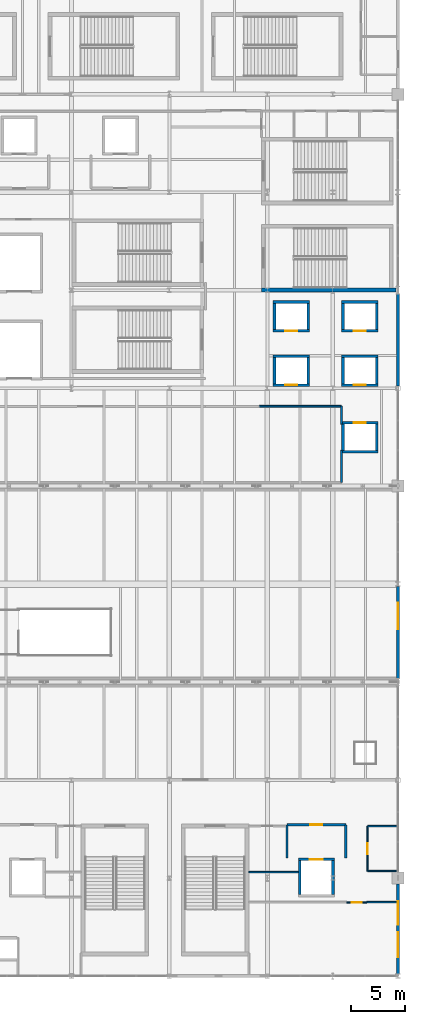
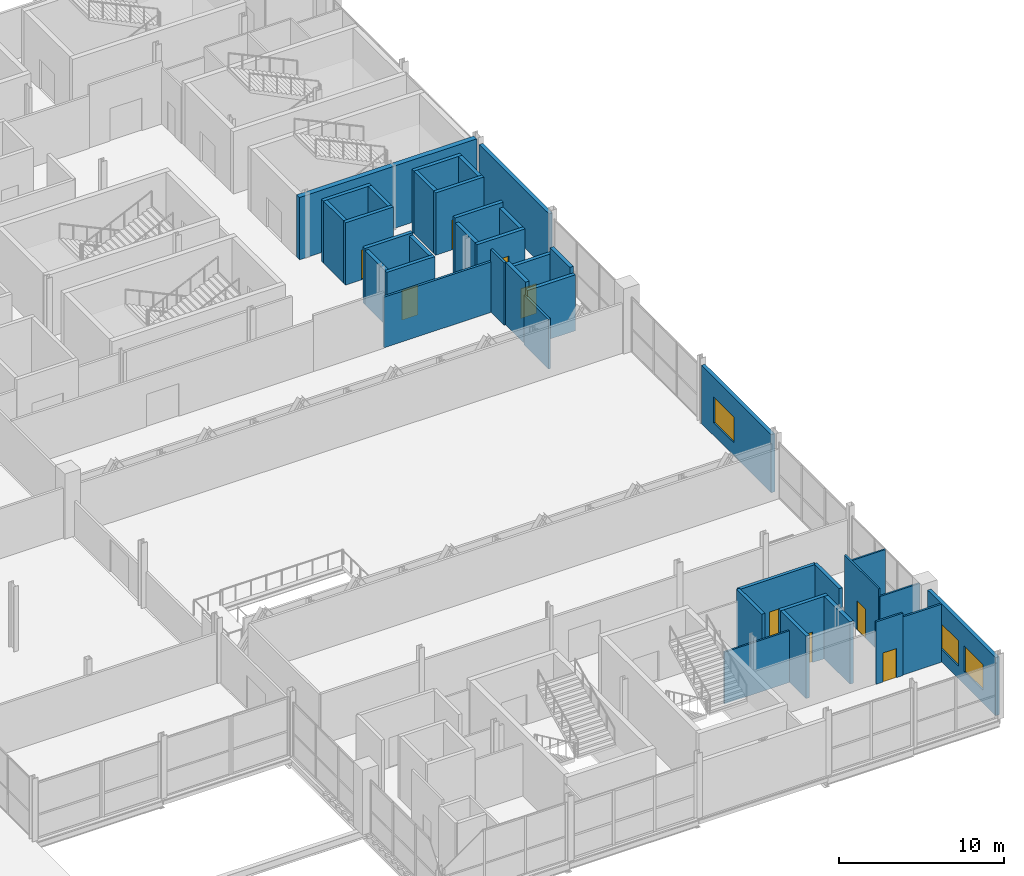
# One storey, part 198 of 224: 39 walls, 9 doors, 3 windows, 12 openings.
"""IFC4 building model written with IfcOpenShell, lengths in metres."""

from ifc_helpers import new_model, si_unit, direction, frame, frame_2d, origin, place, context, subcontext, project, spatial, rectangle, extrude, material, layer, layer_set, type_object, element, fill, save


model = new_model("IFC4")

# Units and contexts
model_context = context("Model", 3, precision=1e-05, world=origin(), true_north=direction((0.0, 1.0)))
body_context = subcontext(model_context, "Body", "Model", "MODEL_VIEW")
ifc_project = project(units=[si_unit("LENGTHUNIT", "METRE"), si_unit("AREAUNIT", "SQUARE_METRE"), si_unit("VOLUMEUNIT", "CUBIC_METRE"), si_unit("PLANEANGLEUNIT", "RADIAN"), si_unit("MASSUNIT", "GRAM", prefix="KILO")], contexts=[model_context])

# Site, building, storey
site_placement = place(None, origin())
site = spatial("IfcSite", under=ifc_project, at=site_placement, CompositionType="ELEMENT")
building_placement = place(site_placement, origin())
building = spatial("IfcBuilding", under=site, at=building_placement, Name="Qamarlyn Nura Convention Centre", CompositionType="ELEMENT")
storey_placement = place(building_placement, frame((0.0, 0.0, 10.800048828125)))
storey = spatial("IfcBuildingStorey", under=building, at=storey_placement, Name="L02", CompositionType="ELEMENT", Elevation=10.800048828125)

# Wall, opening, door
ifc_material_1 = material(Name="Fire-rated acoustic gypsum board and mineral wool EI 120")
ifc_layer_1 = layer(ifc_material_1, 0.219970703125, Name="WT-COMP-220")
ifc_layer_set_1 = layer_set([ifc_layer_1], Name="Fire-rated acoustic gypsum board and mineral wool EI 120")
wall_type_1 = type_object("IfcWallType", Name="WT-COMP-220", PredefinedType="SOLIDWALL", material=ifc_layer_set_1)
wall_1_placement = place(storey_placement, frame((181.800048828125, 13.89990234375, 0.0), z_axis=(0.0, 0.0, 1.0), x_axis=(1.0, 0.0, 0.0)))
wall_1 = element("IfcWall", 1, at=wall_1_placement, inside=storey, type_object=wall_type_1, Name="L02 firefighting lobby barrier wall FFL-02-OPP", PredefinedType="SOLIDWALL", context=body_context, shape_type="SweptSolid", body=[
    extrude(rectangle(XDim=5.39990234375, YDim=0.219970703125, at=frame_2d((2.699951171875, 0.0))), origin(), (0.0, 0.0, 1.0), 4.599853515625),
])
opening_1_placement = place(wall_1_placement, frame((2.139892578125, 0.0, 0.0)))
opening_1 = element("IfcOpeningElement", 2, at=opening_1_placement, cuts=wall_1, Name="Opening DF-113", PredefinedType="OPENING", context=body_context, shape_type="SweptSolid", body=[
    extrude(rectangle(XDim=1.1201171875, YDim=2.199951171875, at=frame_2d((0.56005859375, 1.10009765625))), frame((0.0, 0.1201171875, 0.0), z_axis=(0.0, -1.0, 0.0), x_axis=(1.0, 0.0, 0.0)), (0.0, 0.0, 1.0), 0.239990234375),
])
ifc_material_2 = material(Name="Galvanised fire-rated hollow steel door", Category="steel")
door_type_1 = type_object("IfcDoorType", Name="DR-FFL-1120", OperationType="NOTDEFINED", PredefinedType="DOOR", material=ifc_material_2)
door_1_placement = place(opening_1_placement, origin())
door_1 = element("IfcDoor", 3, at=door_1_placement, inside=storey, type_object=door_type_1, Name="L02 firefighting lobby door FFL-02 (DF-113)", OperationType="SINGLE_SWING_LEFT", OverallHeight=2.199951171875, OverallWidth=1.1201171875, PredefinedType="DOOR", context=body_context, shape_type="SweptSolid", body=[
    extrude(rectangle(XDim=1.1201171875, YDim=2.199951171875, at=frame_2d((0.56005859375, 1.10009765625))), frame((0.0, 0.02490234375, 0.0), z_axis=(0.0, -1.0, 0.0), x_axis=(1.0, 0.0, 0.0)), (0.0, 0.0, 1.0), 0.050048828125),
])
fill(opening_1, door_1)

# Walls
for number, where, z_axis, x_axis, name in (
    (4, (181.800048828125, 10.85009765625, 0.0), (0.0, 0.0, 1.0), (0.0, 1.0, 0.0), "L02 firefighting lobby barrier wall FFL-02-W"),
    (5, (187.199951171875, 10.85009765625, 0.0), (0.0, 0.0, 1.0), (0.0, 1.0, 0.0), "L02 firefighting lobby barrier wall FFL-02-E"),
):
    element("IfcWall", number, at=place(storey_placement, frame(where, z_axis=z_axis, x_axis=x_axis)), inside=storey, type_object=wall_type_1, Name=name, PredefinedType="SOLIDWALL", context=body_context, shape_type="SweptSolid", body=[
        extrude(rectangle(XDim=3.0498046875, YDim=0.219970703125, at=frame_2d((1.52490234375, 0.0))), origin(), (0.0, 0.0, 1.0), 4.599853515625),
    ])
ifc_material_3 = material(Name="Concrete C50/60", Category="concrete")
ifc_layer_2 = layer(ifc_material_3, 0.35009765625, Name="WT-CORE-350")
ifc_layer_set_2 = layer_set([ifc_layer_2], Name="Concrete C50/60")
wall_type_2 = type_object("IfcWallType", Name="WT-CORE-350", PredefinedType="SHEAR", material=ifc_layer_set_2)
wall_2_placement = place(storey_placement, frame((179.449951171875, 63.02490234375, 0.0), z_axis=(0.0, 0.0, 1.0), x_axis=(1.0, 0.0, 0.0)))
element("IfcWall", 6, at=wall_2_placement, inside=storey, type_object=wall_type_2, Name="L02 stair core shear wall ST-13-S", PredefinedType="SHEAR", context=body_context, shape_type="SweptSolid", body=[
    extrude(rectangle(XDim=12.37255859375, YDim=0.35009765625, at=frame_2d((6.186279296875, 0.0))), origin(), (0.0, 0.0, 1.0), 4.599853515625),
])

# Wall, openings, windows
ifc_material_4 = material(Name="Concrete C40/50", Category="concrete")
ifc_layer_3 = layer(ifc_material_4, 0.260009765625, Name="WT-EXT-260")
ifc_layer_set_3 = layer_set([ifc_layer_3], Name="Concrete C40/50")
wall_type_3 = type_object("IfcWallType", Name="WT-EXT-260", PredefinedType="SOLIDWALL", material=ifc_layer_set_3)
wall_3_placement = place(storey_placement, frame((192.0, 8.449951171875, 0.0), z_axis=(0.0, 0.0, 1.0), x_axis=(0.0, -1.0, 0.0)))
wall_3 = element("IfcWall", 7, at=wall_3_placement, inside=storey, type_object=wall_type_3, Name="L02 exterior facade wall WEXT-L02-1920-84-1920-2", PredefinedType="SOLIDWALL", context=body_context, shape_type="SweptSolid", body=[
    extrude(rectangle(XDim=8.237548828125, YDim=0.260009765625, at=frame_2d((4.11865234375, 0.0))), origin(), (0.0, 0.0, 1.0), 4.284912109375),
])
opening_2_placement = place(wall_3_placement, frame((1.58447265625, 0.0, 0.949951171875)))
opening_2 = element("IfcOpeningElement", 8, at=opening_2_placement, cuts=wall_3, Name="Opening WN06", PredefinedType="OPENING", context=body_context, shape_type="SweptSolid", body=[
    extrude(rectangle(XDim=2.14990234375, YDim=1.85009765625, at=frame_2d((1.074951171875, 0.925048828125))), frame((0.0, 0.14013671875, 0.0), z_axis=(0.0, -1.0, 0.0), x_axis=(1.0, 0.0, 0.0)), (0.0, 0.0, 1.0), 0.280029296875),
])
opening_3_placement = place(wall_3_placement, frame((4.427978515625, 0.0, 0.949951171875)))
opening_3 = element("IfcOpeningElement", 9, at=opening_3_placement, cuts=wall_3, Name="Opening WN07", PredefinedType="OPENING", context=body_context, shape_type="SweptSolid", body=[
    extrude(rectangle(XDim=2.300048828125, YDim=1.89990234375, at=frame_2d((1.14990234375, 0.949951171875))), frame((0.0, 0.14013671875, 0.0), z_axis=(0.0, -1.0, 0.0), x_axis=(1.0, 0.0, 0.0)), (0.0, 0.0, 1.0), 0.280029296875),
])
ifc_material_5 = material(Name="Double-silver low-E insulated glass", Category="glass")
window_type_1 = type_object("IfcWindowType", Name="WIN-SOL-06", PartitioningType="SINGLE_PANEL", PredefinedType="WINDOW", material=ifc_material_5)
window_1_placement = place(opening_2_placement, origin())
window_1 = element("IfcWindow", 10, at=window_1_placement, inside=storey, type_object=window_type_1, Name="L02 solar-control window 030", OverallHeight=1.85009765625, OverallWidth=2.14990234375, PartitioningType="SINGLE_PANEL", PredefinedType="WINDOW", context=body_context, shape_type="SweptSolid", body=[
    extrude(rectangle(XDim=2.14990234375, YDim=1.85009765625, at=frame_2d((1.074951171875, 0.925048828125))), frame((0.0, 0.030029296875, 0.0), z_axis=(0.0, -1.0, 0.0), x_axis=(1.0, 0.0, 0.0)), (0.0, 0.0, 1.0), 0.06005859375),
])
fill(opening_2, window_1)
window_type_2 = type_object("IfcWindowType", Name="WIN-SOL-07", PartitioningType="SINGLE_PANEL", PredefinedType="WINDOW", material=ifc_material_5)
window_2_placement = place(opening_3_placement, origin())
window_2 = element("IfcWindow", 11, at=window_2_placement, inside=storey, type_object=window_type_2, Name="L02 solar-control window 031", OverallHeight=1.89990234375, OverallWidth=2.300048828125, PartitioningType="SINGLE_PANEL", PredefinedType="WINDOW", context=body_context, shape_type="SweptSolid", body=[
    extrude(rectangle(XDim=2.300048828125, YDim=1.89990234375, at=frame_2d((1.14990234375, 0.949951171875))), frame((0.0, 0.030029296875, 0.0), z_axis=(0.0, -1.0, 0.0), x_axis=(1.0, 0.0, 0.0)), (0.0, 0.0, 1.0), 0.06005859375),
])
fill(opening_3, window_2)

# Wall, opening, window
wall_4_placement = place(storey_placement, frame((192.0, 35.78759765625, 0.0), z_axis=(0.0, 0.0, 1.0), x_axis=(0.0, -1.0, 0.0)))
wall_4 = element("IfcWall", 12, at=wall_4_placement, inside=storey, type_object=wall_type_3, Name="L02 exterior facade wall WEXT-L02-1920-358-1920-273", PredefinedType="SOLIDWALL", context=body_context, shape_type="SweptSolid", body=[
    extrude(rectangle(XDim=8.440185546875, YDim=0.260009765625, at=frame_2d((4.22021484375, 0.0))), origin(), (0.0, 0.0, 1.0), 4.284912109375),
])
opening_4_placement = place(wall_4_placement, frame((1.485107421875, 0.0, 0.949951171875)))
opening_4 = element("IfcOpeningElement", 13, at=opening_4_placement, cuts=wall_4, Name="Opening WN08", PredefinedType="OPENING", context=body_context, shape_type="SweptSolid", body=[
    extrude(rectangle(XDim=2.449951171875, YDim=1.89990234375, at=frame_2d((1.22509765625, 0.949951171875))), frame((0.0, 0.14013671875, 0.0), z_axis=(0.0, -1.0, 0.0), x_axis=(1.0, 0.0, 0.0)), (0.0, 0.0, 1.0), 0.280029296875),
])
window_type_3 = type_object("IfcWindowType", Name="WIN-SOL-08", PartitioningType="SINGLE_PANEL", PredefinedType="WINDOW", material=ifc_material_5)
window_3_placement = place(opening_4_placement, origin())
window_3 = element("IfcWindow", 14, at=window_3_placement, inside=storey, type_object=window_type_3, Name="L02 solar-control window 032", OverallHeight=1.89990234375, OverallWidth=2.449951171875, PartitioningType="SINGLE_PANEL", PredefinedType="WINDOW", context=body_context, shape_type="SweptSolid", body=[
    extrude(rectangle(XDim=2.449951171875, YDim=1.89990234375, at=frame_2d((1.22509765625, 0.949951171875))), frame((0.0, 0.030029296875, 0.0), z_axis=(0.0, -1.0, 0.0), x_axis=(1.0, 0.0, 0.0)), (0.0, 0.0, 1.0), 0.06005859375),
])
fill(opening_4, window_3)

# Walls
wall_5_placement = place(storey_placement, frame((192.0, 62.652587890625, 0.0), z_axis=(0.0, 0.0, 1.0), x_axis=(0.0, -1.0, 0.0)))
element("IfcWall", 15, at=wall_5_placement, inside=storey, type_object=wall_type_3, Name="L02 exterior facade wall WEXT-L02-1920-627-1920-542", PredefinedType="SOLIDWALL", context=body_context, shape_type="SweptSolid", body=[
    extrude(rectangle(XDim=8.45263671875, YDim=0.260009765625, at=frame_2d((4.226318359375, 0.0))), origin(), (0.0, 0.0, 1.0), 4.284912109375),
])
ifc_material_6 = material(Name="Acoustic double-stud gypsum partition")
ifc_layer_4 = layer(ifc_material_6, 0.1201171875, Name="WT-PART-120")
ifc_layer_set_4 = layer_set([ifc_layer_4], Name="Acoustic double-stud gypsum partition")
wall_type_4 = type_object("IfcWallType", Name="WT-PART-120", PredefinedType="PARTITIONING", material=ifc_layer_set_4)
wall_6_placement = place(storey_placement, frame((182.85009765625, 9.550048828125, 0.0), z_axis=(0.0, 0.0, 1.0), x_axis=(-1.0, 0.0, 0.0)))
element("IfcWall", 16, at=wall_6_placement, inside=storey, type_object=wall_type_4, Name="L02 interior partition L02-WC-F-L02-20-1", PredefinedType="PARTITIONING", context=body_context, shape_type="SweptSolid", body=[
    extrude(rectangle(XDim=4.550048828125, YDim=0.1201171875, at=frame_2d((2.27490234375, 0.0))), origin(), (0.0, 0.0, 1.0), 3.81201171875),
])
for number, where, z_axis, x_axis, name in (
    (17, (189.199951171875, 13.77490234375, 0.0), (0.0, 0.0, 1.0), (1.0, 0.0, 0.0), "L02 interior partition L02-WC-A-L02-1-1"),
    (18, (191.988037109375, 9.64990234375, 0.0), (0.0, 0.0, 1.0), (-1.0, 0.0, 0.0), "L02 interior partition L02-WC-A-L02-3-1"),
):
    element("IfcWall", number, at=place(storey_placement, frame(where, z_axis=z_axis, x_axis=x_axis)), inside=storey, type_object=wall_type_4, Name=name, PredefinedType="PARTITIONING", context=body_context, shape_type="SweptSolid", body=[
        extrude(rectangle(XDim=2.7880859375, YDim=0.1201171875, at=frame_2d((1.39404296875, 0.0))), origin(), (0.0, 0.0, 1.0), 4.0458984375),
    ])

# Wall, opening, door
wall_7_placement = place(storey_placement, frame((189.199951171875, 9.64990234375, 0.0), z_axis=(0.0, 0.0, 1.0), x_axis=(0.0, 1.0, 0.0)))
wall_7 = element("IfcWall", 19, at=wall_7_placement, inside=storey, type_object=wall_type_4, Name="L02 interior partition L02-WC-A-L02-4-1", PredefinedType="PARTITIONING", context=body_context, shape_type="SweptSolid", body=[
    extrude(rectangle(XDim=4.125, YDim=0.1201171875, at=frame_2d((2.0625, 0.0))), origin(), (0.0, 0.0, 1.0), 4.599853515625),
])
opening_5_placement = place(wall_7_placement, frame((1.552490234375, 0.0, 0.0)))
opening_5 = element("IfcOpeningElement", 20, at=opening_5_placement, cuts=wall_7, Name="Opening D-L02-179", PredefinedType="OPENING", context=body_context, shape_type="SweptSolid", body=[
    extrude(rectangle(XDim=1.02001953125, YDim=2.159912109375, at=frame_2d((0.510009765625, 1.080078125))), frame((0.0, 0.070068359375, 0.0), z_axis=(0.0, -1.0, 0.0), x_axis=(1.0, 0.0, 0.0)), (0.0, 0.0, 1.0), 0.14013671875),
])
ifc_material_7 = material(Name="Acoustic walnut timber leaf", Category="wood")
door_type_2 = type_object("IfcDoorType", Name="DR-WC-ACC-102", OperationType="NOTDEFINED", PredefinedType="DOOR", material=ifc_material_7)
door_2_placement = place(opening_5_placement, origin())
door_2 = element("IfcDoor", 21, at=door_2_placement, inside=storey, type_object=door_type_2, Name="L02 Accessible WC L02 door D-L02-179", OperationType="SINGLE_SWING_RIGHT", OverallHeight=2.159912109375, OverallWidth=1.02001953125, PredefinedType="DOOR", context=body_context, shape_type="SweptSolid", body=[
    extrude(rectangle(XDim=1.02001953125, YDim=2.159912109375, at=frame_2d((0.510009765625, 1.080078125))), frame((0.0, 0.02490234375, 0.0), z_axis=(0.0, -1.0, 0.0), x_axis=(1.0, 0.0, 0.0)), (0.0, 0.0, 1.0), 0.050048828125),
])
fill(opening_5, door_2)

ifc_layer_5 = layer(ifc_material_6, 0.135009765625, Name="WT-PART-135")
ifc_layer_set_5 = layer_set([ifc_layer_5], Name="Acoustic double-stud gypsum partition")
wall_type_5 = type_object("IfcWallType", Name="WT-PART-135", PredefinedType="PARTITIONING", material=ifc_layer_set_5)
wall_8_placement = place(storey_placement, frame((187.27001953125, 6.760009765625, 0.0), z_axis=(0.0, 0.0, 1.0), x_axis=(1.0, 0.0, 0.0)))
wall_8 = element("IfcWall", 22, at=wall_8_placement, inside=storey, type_object=wall_type_5, Name="L02 interior partition L02-MED-BRF1-22-1", PredefinedType="PARTITIONING", context=body_context, shape_type="SweptSolid", body=[
    extrude(rectangle(XDim=1.8798828125, YDim=0.135009765625, at=frame_2d((0.93994140625, 0.0))), origin(), (0.0, 0.0, 1.0), 4.599853515625),
])
opening_6_placement = place(wall_8_placement, frame((0.469970703125, 0.0, 0.0)))
opening_6 = element("IfcOpeningElement", 23, at=opening_6_placement, cuts=wall_8, Name="Opening D-L02-181", PredefinedType="OPENING", context=body_context, shape_type="SweptSolid", body=[
    extrude(rectangle(XDim=0.93994140625, YDim=2.14990234375, at=frame_2d((0.469970703125, 1.074951171875))), frame((0.0, 0.07763671875, 0.0), z_axis=(0.0, -1.0, 0.0), x_axis=(1.0, 0.0, 0.0)), (0.0, 0.0, 1.0), 0.155029296875),
])
door_type_3 = type_object("IfcDoorType", Name="DR-ROOM-0940", OperationType="NOTDEFINED", PredefinedType="DOOR", material=ifc_material_7)
door_3_placement = place(opening_6_placement, origin())
door_3 = element("IfcDoor", 24, at=door_3_placement, inside=storey, type_object=door_type_3, Name="L02 Media Briefing Suite 203 door D-L02-181", OperationType="SINGLE_SWING_RIGHT", OverallHeight=2.14990234375, OverallWidth=0.93994140625, PredefinedType="DOOR", context=body_context, shape_type="SweptSolid", body=[
    extrude(rectangle(XDim=0.93994140625, YDim=2.14990234375, at=frame_2d((0.469970703125, 1.074951171875))), frame((0.0, 0.02490234375, 0.0), z_axis=(0.0, -1.0, 0.0), x_axis=(1.0, 0.0, 0.0)), (0.0, 0.0, 1.0), 0.050048828125),
])
fill(opening_6, door_3)

# Walls
wall_9_placement = place(storey_placement, frame((189.14990234375, 6.800048828125, 0.0), z_axis=(0.0, 0.0, 1.0), x_axis=(1.0, 0.0, 0.0)))
element("IfcWall", 25, at=wall_9_placement, inside=storey, type_object=wall_type_5, Name="L02 interior partition L02-MED-BRF1-39-1", PredefinedType="PARTITIONING", context=body_context, shape_type="SweptSolid", body=[
    extrude(rectangle(XDim=2.72021484375, YDim=0.135009765625, at=frame_2d((1.360107421875, 0.0))), origin(), (0.0, 0.0, 1.0), 4.284912109375),
])
ifc_material_8 = material(Name="Fire-rated acoustic gypsum board EI 60")
ifc_layer_6 = layer(ifc_material_8, 0.159912109375, Name="WT-PART-160")
ifc_layer_set_6 = layer_set([ifc_layer_6], Name="Fire-rated acoustic gypsum board EI 60")
wall_type_6 = type_object("IfcWallType", Name="WT-PART-160", PredefinedType="PARTITIONING", material=ifc_layer_set_6)
wall_10_placement = place(storey_placement, frame((186.800048828125, 52.35009765625, 0.0), z_axis=(0.0, 0.0, 1.0), x_axis=(0.0, -1.0, 0.0)))
element("IfcWall", 26, at=wall_10_placement, inside=storey, type_object=wall_type_6, Name="L02 interior partition L02-BLR-EAST-1-1", PredefinedType="PARTITIONING", context=body_context, shape_type="SweptSolid", body=[
    extrude(rectangle(XDim=1.650146484375, YDim=0.159912109375, at=frame_2d((0.8251953125, 0.0))), origin(), (0.0, 0.0, 1.0), 4.599853515625),
])
wall_11_placement = place(storey_placement, frame((186.800048828125, 48.300048828125, 0.0), z_axis=(0.0, 0.0, 1.0), x_axis=(0.0, -1.0, 0.0)))
element("IfcWall", 27, at=wall_11_placement, inside=storey, type_object=wall_type_6, Name="L02 interior partition L02-BLR-EAST-1-2", PredefinedType="PARTITIONING", context=body_context, shape_type="SweptSolid", body=[
    extrude(rectangle(XDim=2.949951171875, YDim=0.159912109375, at=frame_2d((1.47509765625, 0.0))), origin(), (0.0, 0.0, 1.0), 3.6728515625),
])
wall_12_placement = place(storey_placement, frame((179.25, 52.35009765625, 0.0), z_axis=(0.0, 0.0, 1.0), x_axis=(1.0, 0.0, 0.0)))
element("IfcWall", 28, at=wall_12_placement, inside=storey, type_object=wall_type_6, Name="L02 interior partition L02-BLR-EAST-34-1", PredefinedType="PARTITIONING", context=body_context, shape_type="SweptSolid", body=[
    extrude(rectangle(XDim=7.550048828125, YDim=0.159912109375, at=frame_2d((3.77490234375, 0.0))), origin(), (0.0, 0.0, 1.0), 3.72998046875),
])

# Wall, opening, door
ifc_layer_7 = layer(ifc_material_1, 0.25, Name="WT-SHAFT-250")
ifc_layer_set_7 = layer_set([ifc_layer_7], Name="Fire-rated acoustic gypsum board and mineral wool EI 120")
wall_type_7 = type_object("IfcWallType", Name="WT-SHAFT-250", PredefinedType="SOLIDWALL", material=ifc_layer_set_7)
wall_13_placement = place(storey_placement, frame((186.14990234375, 10.72509765625, 0.0), z_axis=(0.0, 0.0, 1.0), x_axis=(-1.0, 0.0, 0.0)))
wall_13 = element("IfcWall", 29, at=wall_13_placement, inside=storey, type_object=wall_type_7, Name="L02 lift shaft enclosure wall FFL-02 +y", PredefinedType="SOLIDWALL", context=body_context, shape_type="SweptSolid", body=[
    extrude(rectangle(XDim=3.2998046875, YDim=0.25, at=frame_2d((1.64990234375, 0.0))), origin(), (0.0, 0.0, 1.0), 4.599853515625),
])
opening_7_placement = place(wall_13_placement, frame((1.050048828125, 0.0, 0.0)))
opening_7 = element("IfcOpeningElement", 30, at=opening_7_placement, cuts=wall_13, Name="Opening LD-FFL-02-L02", PredefinedType="OPENING", context=body_context, shape_type="SweptSolid", body=[
    extrude(rectangle(XDim=1.199951171875, YDim=2.25, at=frame_2d((0.60009765625, 1.125))), frame((0.0, 0.135009765625, 0.0), z_axis=(0.0, -1.0, 0.0), x_axis=(1.0, 0.0, 0.0)), (0.0, 0.0, 1.0), 0.27001953125),
])
ifc_material_9 = material(Name="Marine Grade 316 stainless steel", Category="steel")
door_type_4 = type_object("IfcDoorType", Name="DR-LD-FFL", OperationType="DOUBLE_DOOR_SLIDING", PredefinedType="DOOR", material=ifc_material_9)
door_4_placement = place(opening_7_placement, origin())
door_4 = element("IfcDoor", 31, at=door_4_placement, inside=storey, type_object=door_type_4, Name="Lift landing door LD-FFL-02-L02", OperationType="DOUBLE_DOOR_SLIDING", OverallHeight=2.25, OverallWidth=1.199951171875, PredefinedType="DOOR", context=body_context, shape_type="SweptSolid", body=[
    extrude(rectangle(XDim=1.199951171875, YDim=2.25, at=frame_2d((0.60009765625, 1.125))), frame((0.0, 0.02490234375, 0.0), z_axis=(0.0, -1.0, 0.0), x_axis=(1.0, 0.0, 0.0)), (0.0, 0.0, 1.0), 0.050048828125),
])
fill(opening_7, door_4)

# Walls
for number, where, z_axis, x_axis, name in (
    (32, (182.97509765625, 10.60009765625, 0.0), (0.0, 0.0, 1.0), (0.0, -1.0, 0.0), "L02 lift shaft enclosure wall FFL-02 -x"),
    (33, (186.02490234375, 7.5, 0.0), (0.0, 0.0, 1.0), (0.0, 1.0, 0.0), "L02 lift shaft enclosure wall FFL-02 +x"),
):
    element("IfcWall", number, at=place(storey_placement, frame(where, z_axis=z_axis, x_axis=x_axis)), inside=storey, type_object=wall_type_7, Name=name, PredefinedType="SOLIDWALL", context=body_context, shape_type="SweptSolid", body=[
        extrude(rectangle(XDim=3.10009765625, YDim=0.25, at=frame_2d((1.550048828125, 0.0))), origin(), (0.0, 0.0, 1.0), 4.599853515625),
    ])

# Wall, opening, door
wall_14_placement = place(storey_placement, frame((180.52490234375, 59.27490234375, 0.0), z_axis=(0.0, 0.0, 1.0), x_axis=(1.0, 0.0, 0.0)))
wall_14 = element("IfcWall", 34, at=wall_14_placement, inside=storey, type_object=wall_type_7, Name="L02 lift shaft enclosure wall PL-01 -y", PredefinedType="SOLIDWALL", context=body_context, shape_type="SweptSolid", body=[
    extrude(rectangle(XDim=3.35009765625, YDim=0.25, at=frame_2d((1.675048828125, 0.0))), origin(), (0.0, 0.0, 1.0), 4.599853515625),
])
opening_8_placement = place(wall_14_placement, frame((1.125, 0.0, 0.0)))
opening_8 = element("IfcOpeningElement", 35, at=opening_8_placement, cuts=wall_14, Name="Opening LD-PL-01-L02", PredefinedType="OPENING", context=body_context, shape_type="SweptSolid", body=[
    extrude(rectangle(XDim=1.10009765625, YDim=2.199951171875, at=frame_2d((0.550048828125, 1.10009765625))), frame((0.0, 0.135009765625, 0.0), z_axis=(0.0, -1.0, 0.0), x_axis=(1.0, 0.0, 0.0)), (0.0, 0.0, 1.0), 0.27001953125),
])
door_type_5 = type_object("IfcDoorType", Name="DR-LD-PAX", OperationType="DOUBLE_DOOR_SLIDING", PredefinedType="DOOR", material=ifc_material_9)
door_5_placement = place(opening_8_placement, origin())
door_5 = element("IfcDoor", 36, at=door_5_placement, inside=storey, type_object=door_type_5, Name="Lift landing door LD-PL-01-L02", OperationType="DOUBLE_DOOR_SLIDING", OverallHeight=2.199951171875, OverallWidth=1.10009765625, PredefinedType="DOOR", context=body_context, shape_type="SweptSolid", body=[
    extrude(rectangle(XDim=1.10009765625, YDim=2.199951171875, at=frame_2d((0.550048828125, 1.10009765625))), frame((0.0, 0.02490234375, 0.0), z_axis=(0.0, -1.0, 0.0), x_axis=(1.0, 0.0, 0.0)), (0.0, 0.0, 1.0), 0.050048828125),
])
fill(opening_8, door_5)

# Walls
wall_15_placement = place(storey_placement, frame((183.875, 61.925048828125, 0.0), z_axis=(0.0, 0.0, 1.0), x_axis=(-1.0, 0.0, 0.0)))
element("IfcWall", 37, at=wall_15_placement, inside=storey, type_object=wall_type_7, Name="L02 lift shaft enclosure wall PL-01 +y", PredefinedType="SOLIDWALL", context=body_context, shape_type="SweptSolid", body=[
    extrude(rectangle(XDim=3.35009765625, YDim=0.25, at=frame_2d((1.675048828125, 0.0))), origin(), (0.0, 0.0, 1.0), 4.599853515625),
])
for number, where, z_axis, x_axis, name in (
    (38, (180.64990234375, 61.800048828125, 0.0), (0.0, 0.0, 1.0), (0.0, -1.0, 0.0), "L02 lift shaft enclosure wall PL-01 -x"),
    (39, (183.75, 59.39990234375, 0.0), (0.0, 0.0, 1.0), (0.0, 1.0, 0.0), "L02 lift shaft enclosure wall PL-01 +x"),
):
    element("IfcWall", number, at=place(storey_placement, frame(where, z_axis=z_axis, x_axis=x_axis)), inside=storey, type_object=wall_type_7, Name=name, PredefinedType="SOLIDWALL", context=body_context, shape_type="SweptSolid", body=[
        extrude(rectangle(XDim=2.400146484375, YDim=0.25, at=frame_2d((1.2001953125, 0.0))), origin(), (0.0, 0.0, 1.0), 4.599853515625),
    ])

# Wall, opening, door
wall_16_placement = place(storey_placement, frame((186.824951171875, 59.27490234375, 0.0), z_axis=(0.0, 0.0, 1.0), x_axis=(1.0, 0.0, 0.0)))
wall_16 = element("IfcWall", 40, at=wall_16_placement, inside=storey, type_object=wall_type_7, Name="L02 lift shaft enclosure wall PL-02 -y", PredefinedType="SOLIDWALL", context=body_context, shape_type="SweptSolid", body=[
    extrude(rectangle(XDim=3.35009765625, YDim=0.25, at=frame_2d((1.675048828125, 0.0))), origin(), (0.0, 0.0, 1.0), 4.599853515625),
])
opening_9_placement = place(wall_16_placement, frame((1.125, 0.0, 0.0)))
opening_9 = element("IfcOpeningElement", 41, at=opening_9_placement, cuts=wall_16, Name="Opening LD-PL-02-L02", PredefinedType="OPENING", context=body_context, shape_type="SweptSolid", body=[
    extrude(rectangle(XDim=1.10009765625, YDim=2.199951171875, at=frame_2d((0.550048828125, 1.10009765625))), frame((0.0, 0.135009765625, 0.0), z_axis=(0.0, -1.0, 0.0), x_axis=(1.0, 0.0, 0.0)), (0.0, 0.0, 1.0), 0.27001953125),
])
door_6_placement = place(opening_9_placement, origin())
door_6 = element("IfcDoor", 42, at=door_6_placement, inside=storey, type_object=door_type_5, Name="Lift landing door LD-PL-02-L02", OperationType="DOUBLE_DOOR_SLIDING", OverallHeight=2.199951171875, OverallWidth=1.10009765625, PredefinedType="DOOR", context=body_context, shape_type="SweptSolid", body=[
    extrude(rectangle(XDim=1.10009765625, YDim=2.199951171875, at=frame_2d((0.550048828125, 1.10009765625))), frame((0.0, 0.02490234375, 0.0), z_axis=(0.0, -1.0, 0.0), x_axis=(1.0, 0.0, 0.0)), (0.0, 0.0, 1.0), 0.050048828125),
])
fill(opening_9, door_6)

# Walls
wall_17_placement = place(storey_placement, frame((190.175048828125, 61.925048828125, 0.0), z_axis=(0.0, 0.0, 1.0), x_axis=(-1.0, 0.0, 0.0)))
element("IfcWall", 43, at=wall_17_placement, inside=storey, type_object=wall_type_7, Name="L02 lift shaft enclosure wall PL-02 +y", PredefinedType="SOLIDWALL", context=body_context, shape_type="SweptSolid", body=[
    extrude(rectangle(XDim=3.35009765625, YDim=0.25, at=frame_2d((1.675048828125, 0.0))), origin(), (0.0, 0.0, 1.0), 4.599853515625),
])
for number, where, z_axis, x_axis, name in (
    (44, (186.949951171875, 61.800048828125, 0.0), (0.0, 0.0, 1.0), (0.0, -1.0, 0.0), "L02 lift shaft enclosure wall PL-02 -x"),
    (45, (190.050048828125, 59.39990234375, 0.0), (0.0, 0.0, 1.0), (0.0, 1.0, 0.0), "L02 lift shaft enclosure wall PL-02 +x"),
):
    element("IfcWall", number, at=place(storey_placement, frame(where, z_axis=z_axis, x_axis=x_axis)), inside=storey, type_object=wall_type_7, Name=name, PredefinedType="SOLIDWALL", context=body_context, shape_type="SweptSolid", body=[
        extrude(rectangle(XDim=2.400146484375, YDim=0.25, at=frame_2d((1.2001953125, 0.0))), origin(), (0.0, 0.0, 1.0), 4.599853515625),
    ])

# Wall, opening, door
wall_18_placement = place(storey_placement, frame((180.52490234375, 54.27490234375, 0.0), z_axis=(0.0, 0.0, 1.0), x_axis=(1.0, 0.0, 0.0)))
wall_18 = element("IfcWall", 46, at=wall_18_placement, inside=storey, type_object=wall_type_7, Name="L02 lift shaft enclosure wall PL-03 -y", PredefinedType="SOLIDWALL", context=body_context, shape_type="SweptSolid", body=[
    extrude(rectangle(XDim=3.35009765625, YDim=0.25, at=frame_2d((1.675048828125, 0.0))), origin(), (0.0, 0.0, 1.0), 3.973876953125),
])
opening_10_placement = place(wall_18_placement, frame((1.125, 0.0, 0.0)))
opening_10 = element("IfcOpeningElement", 47, at=opening_10_placement, cuts=wall_18, Name="Opening LD-PL-03-L02", PredefinedType="OPENING", context=body_context, shape_type="SweptSolid", body=[
    extrude(rectangle(XDim=1.10009765625, YDim=2.199951171875, at=frame_2d((0.550048828125, 1.10009765625))), frame((0.0, 0.135009765625, 0.0), z_axis=(0.0, -1.0, 0.0), x_axis=(1.0, 0.0, 0.0)), (0.0, 0.0, 1.0), 0.27001953125),
])
door_7_placement = place(opening_10_placement, origin())
door_7 = element("IfcDoor", 48, at=door_7_placement, inside=storey, type_object=door_type_5, Name="Lift landing door LD-PL-03-L02", OperationType="DOUBLE_DOOR_SLIDING", OverallHeight=2.199951171875, OverallWidth=1.10009765625, PredefinedType="DOOR", context=body_context, shape_type="SweptSolid", body=[
    extrude(rectangle(XDim=1.10009765625, YDim=2.199951171875, at=frame_2d((0.550048828125, 1.10009765625))), frame((0.0, 0.02490234375, 0.0), z_axis=(0.0, -1.0, 0.0), x_axis=(1.0, 0.0, 0.0)), (0.0, 0.0, 1.0), 0.050048828125),
])
fill(opening_10, door_7)

# Walls
wall_19_placement = place(storey_placement, frame((183.875, 56.925048828125, 0.0), z_axis=(0.0, 0.0, 1.0), x_axis=(-1.0, 0.0, 0.0)))
element("IfcWall", 49, at=wall_19_placement, inside=storey, type_object=wall_type_7, Name="L02 lift shaft enclosure wall PL-03 +y", PredefinedType="SOLIDWALL", context=body_context, shape_type="SweptSolid", body=[
    extrude(rectangle(XDim=3.35009765625, YDim=0.25, at=frame_2d((1.675048828125, 0.0))), origin(), (0.0, 0.0, 1.0), 4.1279296875),
])
for number, where, z_axis, x_axis, name in (
    (50, (180.64990234375, 56.800048828125, 0.0), (0.0, 0.0, 1.0), (0.0, -1.0, 0.0), "L02 lift shaft enclosure wall PL-03 -x"),
    (51, (183.75, 54.39990234375, 0.0), (0.0, 0.0, 1.0), (0.0, 1.0, 0.0), "L02 lift shaft enclosure wall PL-03 +x"),
):
    element("IfcWall", number, at=place(storey_placement, frame(where, z_axis=z_axis, x_axis=x_axis)), inside=storey, type_object=wall_type_7, Name=name, PredefinedType="SOLIDWALL", context=body_context, shape_type="SweptSolid", body=[
        extrude(rectangle(XDim=2.400146484375, YDim=0.25, at=frame_2d((1.2001953125, 0.0))), origin(), (0.0, 0.0, 1.0), 3.973876953125),
    ])

# Wall, opening, door
wall_20_placement = place(storey_placement, frame((186.824951171875, 54.27490234375, 0.0), z_axis=(0.0, 0.0, 1.0), x_axis=(1.0, 0.0, 0.0)))
wall_20 = element("IfcWall", 52, at=wall_20_placement, inside=storey, type_object=wall_type_7, Name="L02 lift shaft enclosure wall PL-04 -y", PredefinedType="SOLIDWALL", context=body_context, shape_type="SweptSolid", body=[
    extrude(rectangle(XDim=3.35009765625, YDim=0.25, at=frame_2d((1.675048828125, 0.0))), origin(), (0.0, 0.0, 1.0), 3.81201171875),
])
opening_11_placement = place(wall_20_placement, frame((1.125, 0.0, 0.0)))
opening_11 = element("IfcOpeningElement", 53, at=opening_11_placement, cuts=wall_20, Name="Opening LD-PL-04-L02", PredefinedType="OPENING", context=body_context, shape_type="SweptSolid", body=[
    extrude(rectangle(XDim=1.10009765625, YDim=2.199951171875, at=frame_2d((0.550048828125, 1.10009765625))), frame((0.0, 0.135009765625, 0.0), z_axis=(0.0, -1.0, 0.0), x_axis=(1.0, 0.0, 0.0)), (0.0, 0.0, 1.0), 0.27001953125),
])
door_8_placement = place(opening_11_placement, origin())
door_8 = element("IfcDoor", 54, at=door_8_placement, inside=storey, type_object=door_type_5, Name="Lift landing door LD-PL-04-L02", OperationType="DOUBLE_DOOR_SLIDING", OverallHeight=2.199951171875, OverallWidth=1.10009765625, PredefinedType="DOOR", context=body_context, shape_type="SweptSolid", body=[
    extrude(rectangle(XDim=1.10009765625, YDim=2.199951171875, at=frame_2d((0.550048828125, 1.10009765625))), frame((0.0, 0.02490234375, 0.0), z_axis=(0.0, -1.0, 0.0), x_axis=(1.0, 0.0, 0.0)), (0.0, 0.0, 1.0), 0.050048828125),
])
fill(opening_11, door_8)

# Walls
wall_21_placement = place(storey_placement, frame((190.175048828125, 56.925048828125, 0.0), z_axis=(0.0, 0.0, 1.0), x_axis=(-1.0, 0.0, 0.0)))
element("IfcWall", 55, at=wall_21_placement, inside=storey, type_object=wall_type_7, Name="L02 lift shaft enclosure wall PL-04 +y", PredefinedType="SOLIDWALL", context=body_context, shape_type="SweptSolid", body=[
    extrude(rectangle(XDim=3.35009765625, YDim=0.25, at=frame_2d((1.675048828125, 0.0))), origin(), (0.0, 0.0, 1.0), 4.177978515625),
])
for number, where, z_axis, x_axis, name in (
    (56, (186.949951171875, 56.800048828125, 0.0), (0.0, 0.0, 1.0), (0.0, -1.0, 0.0), "L02 lift shaft enclosure wall PL-04 -x"),
    (57, (190.050048828125, 54.39990234375, 0.0), (0.0, 0.0, 1.0), (0.0, 1.0, 0.0), "L02 lift shaft enclosure wall PL-04 +x"),
):
    element("IfcWall", number, at=place(storey_placement, frame(where, z_axis=z_axis, x_axis=x_axis)), inside=storey, type_object=wall_type_7, Name=name, PredefinedType="SOLIDWALL", context=body_context, shape_type="SweptSolid", body=[
        extrude(rectangle(XDim=2.400146484375, YDim=0.25, at=frame_2d((1.2001953125, 0.0))), origin(), (0.0, 0.0, 1.0), 3.81201171875),
    ])
wall_22_placement = place(storey_placement, frame((186.824951171875, 48.175048828125, 0.0), z_axis=(0.0, 0.0, 1.0), x_axis=(1.0, 0.0, 0.0)))
element("IfcWall", 58, at=wall_22_placement, inside=storey, type_object=wall_type_7, Name="L02 lift shaft enclosure wall PL-05 -y", PredefinedType="SOLIDWALL", context=body_context, shape_type="SweptSolid", body=[
    extrude(rectangle(XDim=3.35009765625, YDim=0.25, at=frame_2d((1.675048828125, 0.0))), origin(), (0.0, 0.0, 1.0), 4.1279296875),
])

# Wall, opening, door
wall_23_placement = place(storey_placement, frame((190.175048828125, 50.824951171875, 0.0), z_axis=(0.0, 0.0, 1.0), x_axis=(-1.0, 0.0, 0.0)))
wall_23 = element("IfcWall", 59, at=wall_23_placement, inside=storey, type_object=wall_type_7, Name="L02 lift shaft enclosure wall PL-05 +y", PredefinedType="SOLIDWALL", context=body_context, shape_type="SweptSolid", body=[
    extrude(rectangle(XDim=3.35009765625, YDim=0.25, at=frame_2d((1.675048828125, 0.0))), origin(), (0.0, 0.0, 1.0), 4.1279296875),
])
opening_12_placement = place(wall_23_placement, frame((1.125, 0.0, 0.0)))
opening_12 = element("IfcOpeningElement", 60, at=opening_12_placement, cuts=wall_23, Name="Opening LD-PL-05-L02", PredefinedType="OPENING", context=body_context, shape_type="SweptSolid", body=[
    extrude(rectangle(XDim=1.10009765625, YDim=2.199951171875, at=frame_2d((0.550048828125, 1.10009765625))), frame((0.0, 0.135009765625, 0.0), z_axis=(0.0, -1.0, 0.0), x_axis=(1.0, 0.0, 0.0)), (0.0, 0.0, 1.0), 0.27001953125),
])
door_9_placement = place(opening_12_placement, origin())
door_9 = element("IfcDoor", 61, at=door_9_placement, inside=storey, type_object=door_type_5, Name="Lift landing door LD-PL-05-L02", OperationType="DOUBLE_DOOR_SLIDING", OverallHeight=2.199951171875, OverallWidth=1.10009765625, PredefinedType="DOOR", context=body_context, shape_type="SweptSolid", body=[
    extrude(rectangle(XDim=1.10009765625, YDim=2.199951171875, at=frame_2d((0.550048828125, 1.10009765625))), frame((0.0, 0.02490234375, 0.0), z_axis=(0.0, -1.0, 0.0), x_axis=(1.0, 0.0, 0.0)), (0.0, 0.0, 1.0), 0.050048828125),
])
fill(opening_12, door_9)

# Walls
for number, where, z_axis, x_axis, name in (
    (62, (186.949951171875, 50.699951171875, 0.0), (0.0, 0.0, 1.0), (0.0, -1.0, 0.0), "L02 lift shaft enclosure wall PL-05 -x"),
    (63, (190.050048828125, 48.300048828125, 0.0), (0.0, 0.0, 1.0), (0.0, 1.0, 0.0), "L02 lift shaft enclosure wall PL-05 +x"),
):
    element("IfcWall", number, at=place(storey_placement, frame(where, z_axis=z_axis, x_axis=x_axis)), inside=storey, type_object=wall_type_7, Name=name, PredefinedType="SOLIDWALL", context=body_context, shape_type="SweptSolid", body=[
        extrude(rectangle(XDim=2.39990234375, YDim=0.25, at=frame_2d((1.199951171875, 0.0))), origin(), (0.0, 0.0, 1.0), 4.599853515625),
    ])

save(model, "model.ifc")
